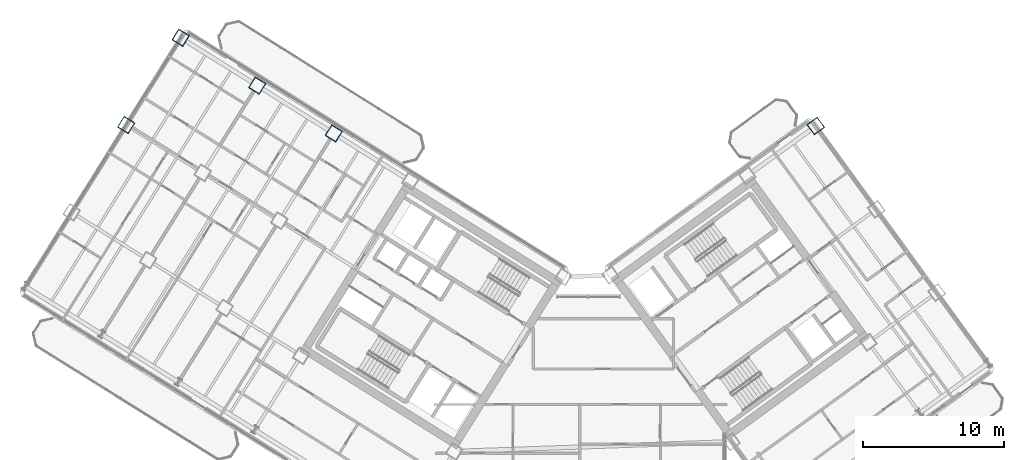
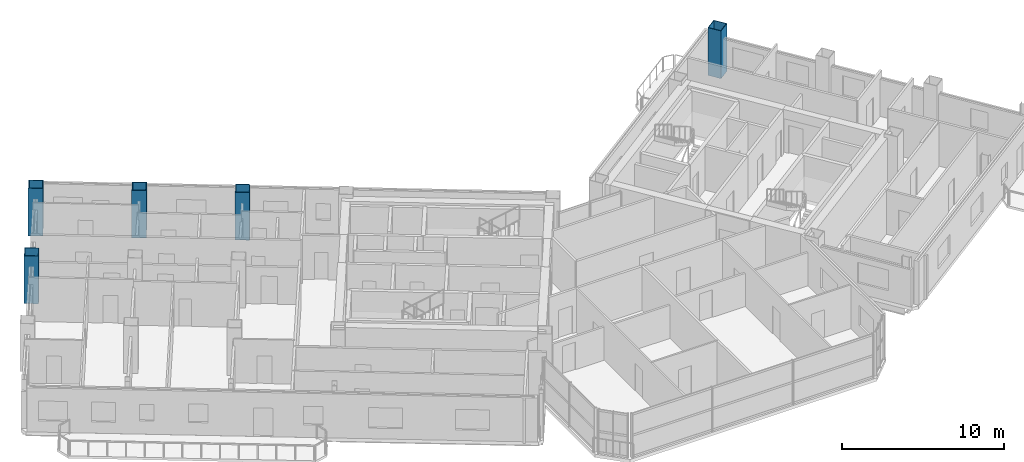
# One storey, part 3 of 29: 5 columns.
"""IFC4 building model written with IfcOpenShell, lengths in metres."""

from ifc_helpers import new_model, si_unit, direction, frame, origin, origin_2d, place, context, subcontext, project, spatial, hollow_rectangle, extrude, source, transform, mapped, material, material_profile, profile_set, type_object, element, save


model = new_model("IFC4")

# Units and contexts
model_context = context("Model", 3, precision=1e-05, world=origin(), true_north=direction((0.0, 1.0)))
body_context = subcontext(model_context, "Body", "Model", "MODEL_VIEW")
ifc_project = project(units=[si_unit("LENGTHUNIT", "METRE"), si_unit("AREAUNIT", "SQUARE_METRE"), si_unit("VOLUMEUNIT", "CUBIC_METRE"), si_unit("PLANEANGLEUNIT", "RADIAN"), si_unit("MASSUNIT", "GRAM", prefix="KILO")], contexts=[model_context])

# Site, building, storey
site_placement = place(None, origin())
site = spatial("IfcSite", under=ifc_project, at=site_placement, CompositionType="ELEMENT")
building_placement = place(site_placement, origin())
building = spatial("IfcBuilding", under=site, at=building_placement, Name="Tlacorven Tower", CompositionType="ELEMENT")
storey_placement = place(building_placement, frame((0.0, 0.0, 165.89990234375)))
storey = spatial("IfcBuildingStorey", under=building, at=storey_placement, Name="L42", CompositionType="ELEMENT", Elevation=165.89990234375)

# Columns
ifc_material = material(Name="Steel S460M", Category="steel")
ifc_material_profile = material_profile(ifc_material, hollow_rectangle(XDim=0.89990234375, YDim=0.89990234375, WallThickness=0.035888671875, at=origin_2d()), Name="BOX 900X900X36")
ifc_profile_set = profile_set([ifc_material_profile], Name="Steel S460M")
column_type = type_object("IfcColumnType", Name="COL-TWR-S2", PredefinedType="COLUMN", material=ifc_profile_set)
shared_shape = source(origin(), body_context, "Body", "SweptSolid", [
    extrude(hollow_rectangle(XDim=0.89990234375, YDim=0.89990234375, WallThickness=0.035888671875, at=origin_2d()), origin(), (0.0, 0.0, 1.0), 3.60009765625),
])
for number, where, z_axis, x_axis, name in (
    (1, (24.50048828125, 34.642822265625, 0.0), (0.0, 0.0, 1.0), (-0.848048096156, 0.529919264233, 0.0), "L42 column COL-L42-W4-1"),
    (2, (19.072998046875, 38.034423828125, 0.0), (0.0, 0.0, 1.0), (-0.848048096156, 0.529919264233, 0.0), "L42 column COL-L42-W5-1"),
    (3, (13.6455078125, 41.42578125, 0.0), (0.0, 0.0, 1.0), (-0.848048096156, 0.529919264233, 0.0), "L42 column COL-L42-W6-1"),
    (4, (9.777099609375, 35.235107421875, 0.0), (0.0, 0.0, 1.0), (-0.848048096156, 0.529919264233, 0.0), "L42 column COL-L42-W6-2"),
    (5, (58.68603515625, 35.165283203125, 0.0), (0.0, 0.0, 1.0), (0.809016994375, 0.587785252292, 0.0), "L42 column COL-L42-E4-4"),
):
    element("IfcColumn", number, at=place(storey_placement, frame(where, z_axis=z_axis, x_axis=x_axis)), inside=storey, type_object=column_type, Name=name, PredefinedType="COLUMN", context=body_context, shape_type="MappedRepresentation", body=[
        mapped(shared_shape, transform((0.0, 0.0, 0.0), scale=1.0)),
    ])

save(model, "model.ifc")
